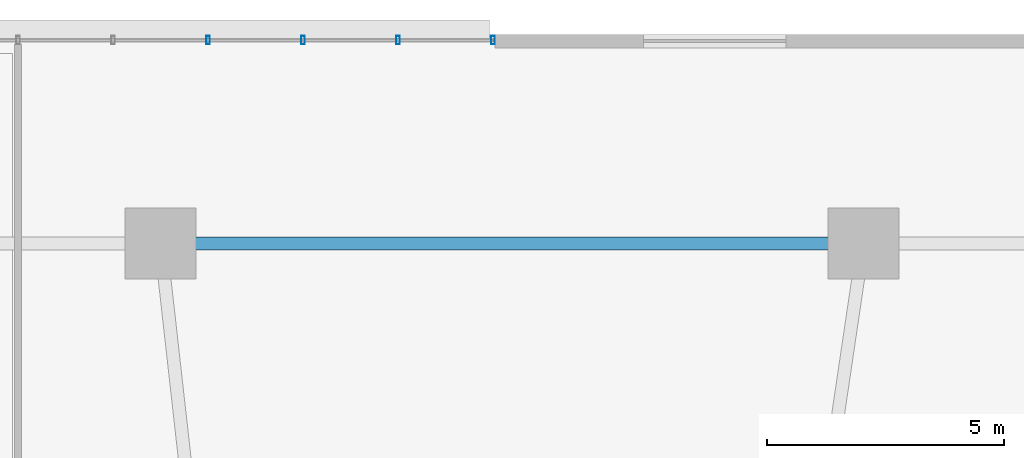
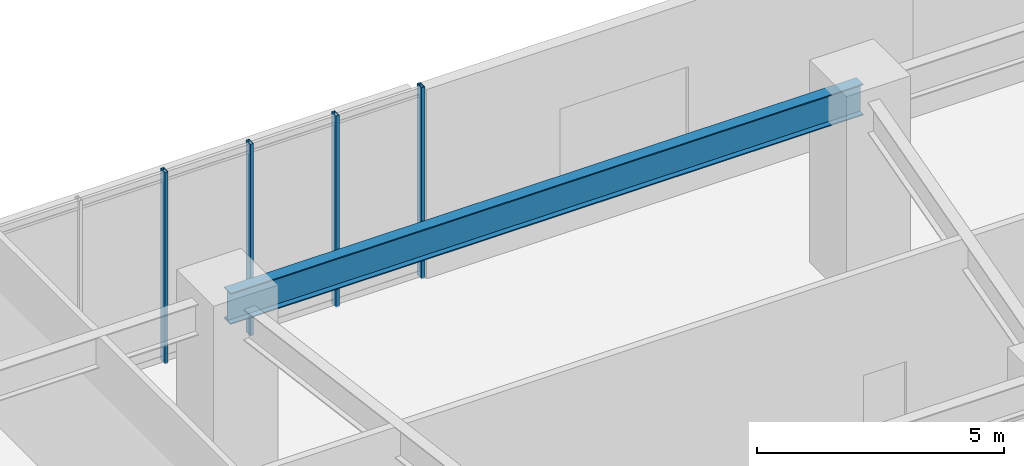
# One storey, part 8 of 23: 4 members, 1 beam, 1 element without a shape of its own.
"""IFC4 building model written with IfcOpenShell, lengths in metres."""

from ifc_helpers import new_model, si_unit, direction, frame, origin, origin_2d, place, context, subcontext, project, spatial, hollow_rectangle, i_section, extrude, material, material_profile, profile_set, type_object, element, aggregate, save


model = new_model("IFC4")

# Units and contexts
model_context = context("Model", 3, precision=1e-05, world=origin(), true_north=direction((0.0, 1.0)))
body_context = subcontext(model_context, "Body", "Model", "MODEL_VIEW")
ifc_project = project(units=[si_unit("LENGTHUNIT", "METRE"), si_unit("AREAUNIT", "SQUARE_METRE"), si_unit("VOLUMEUNIT", "CUBIC_METRE"), si_unit("PLANEANGLEUNIT", "RADIAN"), si_unit("MASSUNIT", "GRAM", prefix="KILO")], contexts=[model_context])

# Site, building, storey
site_placement = place(None, origin())
site = spatial("IfcSite", under=ifc_project, at=site_placement, CompositionType="ELEMENT")
building_placement = place(site_placement, origin())
building = spatial("IfcBuilding", under=site, at=building_placement, Name="Zulverin Broadcast Headquarters", CompositionType="ELEMENT")
storey_placement = place(building_placement, frame((0.0, 0.0, 10.0)))
storey = spatial("IfcBuildingStorey", under=building, at=storey_placement, Name="L02", CompositionType="ELEMENT", Elevation=10.0)

# Beam
ifc_material_1 = material(Name="Structural steel S355JR", Category="steel")
ifc_material_profile_1 = material_profile(ifc_material_1, i_section(OverallWidth=0.26806640625, OverallDepth=0.769775390625, WebThickness=0.015625, FlangeThickness=0.025390625, at=origin_2d()), Name="Structural steel S355JR", Category="steel")
ifc_profile_set_1 = profile_set([ifc_material_profile_1], Name="Structural steel S355JR")
beam_type = type_object("IfcBeamType", Name="BM-UB-762", PredefinedType="BEAM", material=ifc_profile_set_1)
beam_placement = place(storey_placement, frame((51.800048828125, 46.0, 4.295166015625), z_axis=(-1.0, 0.0, 0.0), x_axis=(0.0, -1.0, 0.0)))
element("IfcBeam", 1, at=beam_placement, inside=storey, type_object=beam_type, Name="L02 Podium Primary Girder P09-P08", PredefinedType="BEAM", context=body_context, shape_type="SweptSolid", body=[
    extrude(i_section(OverallWidth=0.26806640625, OverallDepth=0.769775390625, WebThickness=0.015625, FlangeThickness=0.025390625, at=origin_2d()), origin(), (0.0, 0.0, 1.0), 14.800048828125),
])

# Curtain wall, members
ifc_material_2 = material(Name="Pale-metal unitised podium curtain wall", Category="aluminium")
curtain_wall_type = type_object("IfcCurtainWallType", Name="CW-POD", PredefinedType="USERDEFINED", material=ifc_material_2)
curtain_wall_placement = place(storey_placement, origin())
curtain_wall = element("IfcCurtainWall", 2, at=curtain_wall_placement, inside=storey, type_object=curtain_wall_type, Name="L02 Unitised Curtain Wall CW-L02-N2", ObjectType="UNITISED CURTAIN WALL", PredefinedType="USERDEFINED")
ifc_material_3 = material(Name="Anodized pale-metal aluminium alloy 6063-T6", Category="aluminium")
ifc_material_profile_2 = material_profile(ifc_material_3, hollow_rectangle(XDim=0.074951171875, YDim=0.179931640625, WallThickness=0.0048828125, at=origin_2d()), Name="Anodized pale-metal aluminium alloy 6063-T6", Category="aluminium")
ifc_profile_set_2 = profile_set([ifc_material_profile_2], Name="Anodized pale-metal aluminium alloy 6063-T6")
member_type = type_object("IfcMemberType", Name="CW-MUL-180", PredefinedType="MULLION", material=ifc_profile_set_2)
member_1_placement = place(storey_placement, frame((44.0, 50.280029296875, -0.030029296875), z_axis=(0.0, 0.0, 1.0), x_axis=(-1.0, 0.0, 0.0)))
member_1 = element("IfcMember", 3, at=member_1_placement, type_object=member_type, Name="CW-L02-N2 Mullion 00", PredefinedType="MULLION", context=body_context, shape_type="SweptSolid", body=[
    extrude(hollow_rectangle(XDim=0.074951171875, YDim=0.179931640625, WallThickness=0.0048828125, at=origin_2d()), origin(), (0.0, 0.0, 1.0), 4.739990234375),
])
member_2_placement = place(storey_placement, frame((42.0, 50.280029296875, -0.030029296875), z_axis=(0.0, 0.0, 1.0), x_axis=(-1.0, 0.0, 0.0)))
member_2 = element("IfcMember", 4, at=member_2_placement, type_object=member_type, Name="CW-L02-N2 Mullion 01", PredefinedType="MULLION", context=body_context, shape_type="SweptSolid", body=[
    extrude(hollow_rectangle(XDim=0.074951171875, YDim=0.179931640625, WallThickness=0.0048828125, at=origin_2d()), origin(), (0.0, 0.0, 1.0), 4.739990234375),
])
member_3_placement = place(storey_placement, frame((40.0, 50.280029296875, -0.030029296875), z_axis=(0.0, 0.0, 1.0), x_axis=(-1.0, 0.0, 0.0)))
member_3 = element("IfcMember", 5, at=member_3_placement, type_object=member_type, Name="CW-L02-N2 Mullion 02", PredefinedType="MULLION", context=body_context, shape_type="SweptSolid", body=[
    extrude(hollow_rectangle(XDim=0.074951171875, YDim=0.179931640625, WallThickness=0.0048828125, at=origin_2d()), origin(), (0.0, 0.0, 1.0), 4.739990234375),
])
member_4_placement = place(storey_placement, frame((38.0, 50.280029296875, -0.030029296875), z_axis=(0.0, 0.0, 1.0), x_axis=(-1.0, 0.0, 0.0)))
member_4 = element("IfcMember", 6, at=member_4_placement, type_object=member_type, Name="CW-L02-N2 Mullion 03", PredefinedType="MULLION", context=body_context, shape_type="SweptSolid", body=[
    extrude(hollow_rectangle(XDim=0.074951171875, YDim=0.179931640625, WallThickness=0.0048828125, at=origin_2d()), origin(), (0.0, 0.0, 1.0), 4.739990234375),
])
aggregate(curtain_wall, [member_1, member_2, member_3, member_4])

save(model, "model.ifc")
